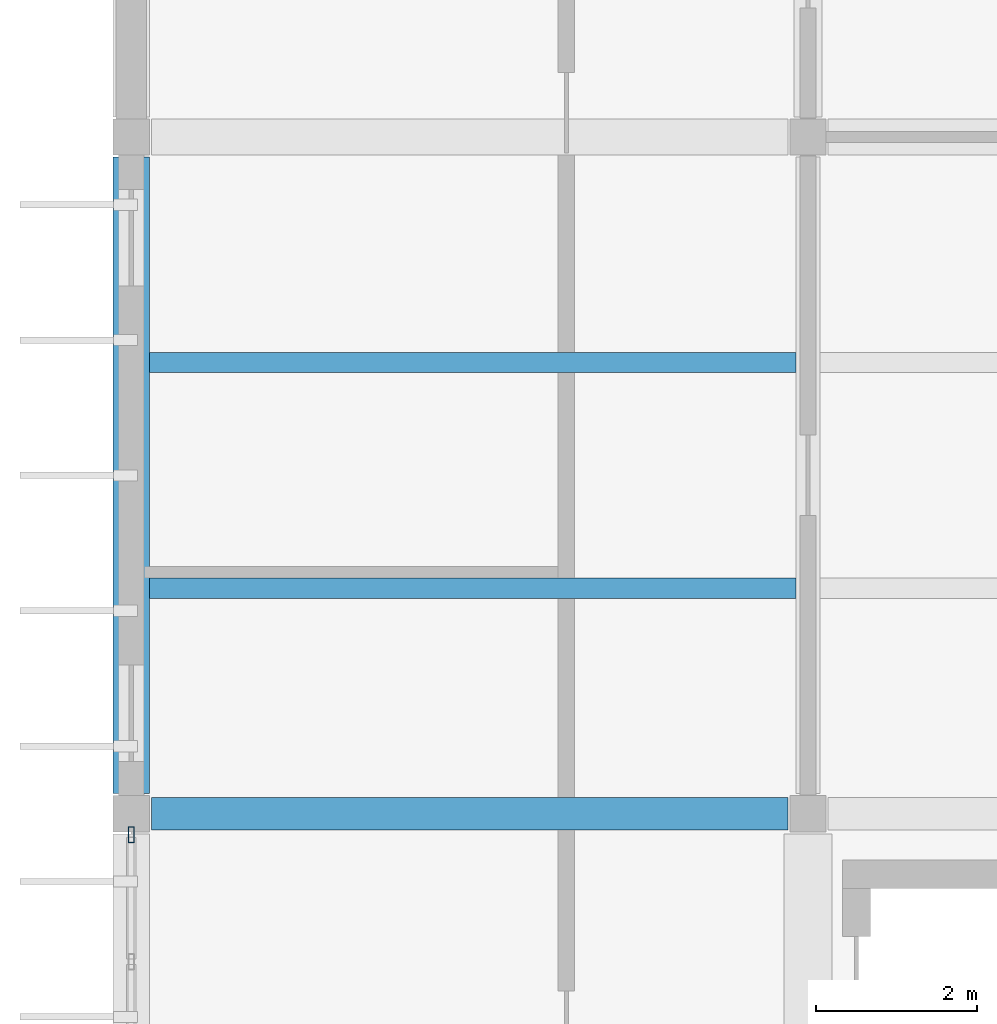
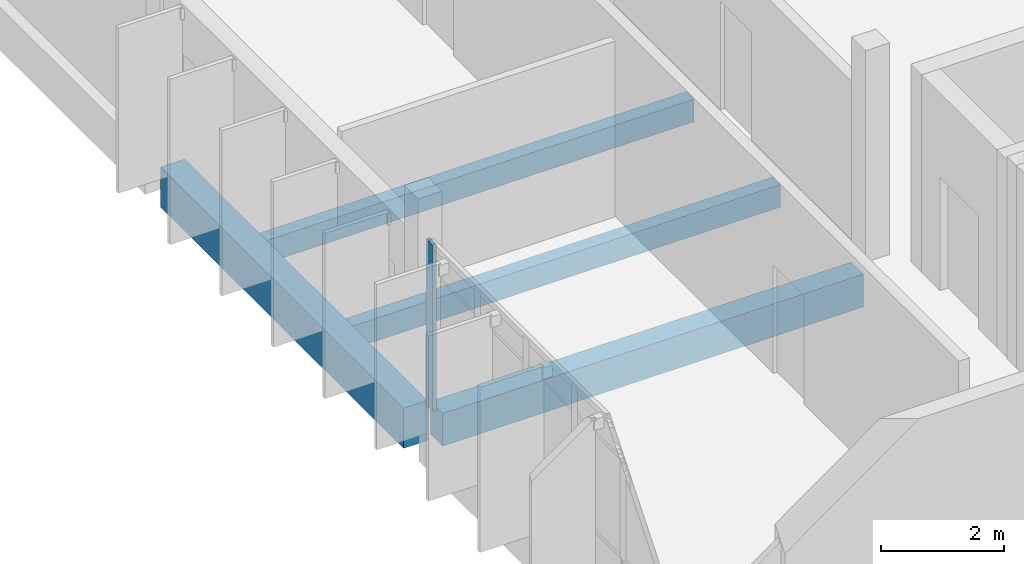
# One storey, part 6 of 62: 4 beams, 1 member, 1 element without a shape of its own.
"""IFC4 building model written with IfcOpenShell, lengths in metres."""

from ifc_helpers import new_model, si_unit, direction, frame, origin, origin_2d, place, context, subcontext, project, spatial, rectangle, hollow_rectangle, extrude, material, layer, layer_set, material_profile, profile_set, type_object, element, aggregate, save


model = new_model("IFC4")

# Units and contexts
model_context = context("Model", 3, precision=1e-05, world=origin(), true_north=direction((0.0, 1.0)))
body_context = subcontext(model_context, "Body", "Model", "MODEL_VIEW")
ifc_project = project(units=[si_unit("LENGTHUNIT", "METRE"), si_unit("AREAUNIT", "SQUARE_METRE"), si_unit("VOLUMEUNIT", "CUBIC_METRE"), si_unit("PLANEANGLEUNIT", "RADIAN"), si_unit("MASSUNIT", "GRAM", prefix="KILO")], contexts=[model_context])

# Site, building, storey
site_placement = place(None, origin())
site = spatial("IfcSite", under=ifc_project, at=site_placement, CompositionType="ELEMENT")
building_placement = place(site_placement, origin())
building = spatial("IfcBuilding", under=site, at=building_placement, Name="Vireocrest Preparatory School", CompositionType="ELEMENT")
storey_placement = place(building_placement, frame((0.0, 0.0, 17.39990234375)))
storey = spatial("IfcBuildingStorey", under=building, at=storey_placement, Name="L04", CompositionType="ELEMENT", Elevation=17.39990234375)

# Curtain wall, member
ifc_material_1 = material(Name="Thermally broken aluminium EN AW-6063-T6", Category="aluminium")
ifc_layer = layer(ifc_material_1, 0.179931640625)
ifc_layer_set = layer_set([ifc_layer], Name="Thermally broken aluminium EN AW-6063-T6")
curtain_wall_type = type_object("IfcCurtainWallType", Name="Teaching Fin Curtain Wall 8400x4200", PredefinedType="USERDEFINED", material=ifc_layer_set)
curtain_wall_placement = place(storey_placement, origin())
curtain_wall = element("IfcCurtainWall", 1, at=curtain_wall_placement, inside=storey, type_object=curtain_wall_type, Name="Curtain Wall CW03 CW_L04_CW03_0420_0440_174", ObjectType="CURTAIN WALL", PredefinedType="USERDEFINED")
ifc_material_profile_1 = material_profile(ifc_material_1, hollow_rectangle(XDim=0.074951171875, YDim=0.199951171875, WallThickness=0.0048828125, at=origin_2d()), Name="ALU 75x200x5")
ifc_profile_set_1 = profile_set([ifc_material_profile_1], Name="Thermally broken aluminium EN AW-6063-T6")
member_type = type_object("IfcMemberType", Name="CW Mullion 75x200x5", PredefinedType="MULLION", material=ifc_profile_set_1)
member_placement = place(storey_placement, frame((42.0, 51.93994140625, 0.0), z_axis=(0.0, 0.0, 1.0), x_axis=(1.0, 0.0, 0.0)))
member = element("IfcMember", 2, at=member_placement, type_object=member_type, Name="CW Mullion ML3 CW_L04_CW03_0420_0440_174-6", PredefinedType="MULLION", context=body_context, shape_type="SweptSolid", body=[
    extrude(hollow_rectangle(XDim=0.074951171875, YDim=0.199951171875, WallThickness=0.0048828125, at=origin_2d()), origin(), (0.0, 0.0, 1.0), 3.30517578125),
])
aggregate(curtain_wall, [member])

# Beams
ifc_material_2 = material(Name="Concrete 40 MPa", Category="concrete")
ifc_material_profile_2 = material_profile(ifc_material_2, rectangle(XDim=0.39990234375, YDim=0.64990234375, at=origin_2d()), Name="RC 400x650")
ifc_profile_set_2 = profile_set([ifc_material_profile_2], Name="Concrete 40 MPa")
beam_type_1 = type_object("IfcBeamType", Name="RC Laboratory Girder 400x650", PredefinedType="BEAM", material=ifc_profile_set_2)
beam_1_placement = place(storey_placement, frame((42.25, 52.199951171875, -0.56494140625), z_axis=(1.0, 0.0, 0.0), x_axis=(0.0, 1.0, 0.0)))
element("IfcBeam", 3, at=beam_1_placement, inside=storey, type_object=beam_type_1, Name="Primary Girder B07 L04-1301", PredefinedType="BEAM", context=body_context, shape_type="SweptSolid", body=[
    extrude(rectangle(XDim=0.39990234375, YDim=0.64990234375, at=origin_2d()), origin(), (0.0, 0.0, 1.0), 7.89990234375),
])
ifc_material_profile_3 = material_profile(ifc_material_2, rectangle(XDim=0.449951171875, YDim=0.800048828125, at=origin_2d()), Name="RC 450x800")
ifc_profile_set_3 = profile_set([ifc_material_profile_3], Name="Concrete 40 MPa")
beam_type_2 = type_object("IfcBeamType", Name="RC Library Stack Girder 450x800", PredefinedType="BEAM", material=ifc_profile_set_3)
beam_2_placement = place(storey_placement, frame((42.0, 52.449951171875, -0.639892578125), z_axis=(0.0, 1.0, 0.0), x_axis=(-1.0, 0.0, 0.0)))
element("IfcBeam", 4, at=beam_2_placement, inside=storey, type_object=beam_type_2, Name="Primary Girder B12 L04-1355", PredefinedType="BEAM", context=body_context, shape_type="SweptSolid", body=[
    extrude(rectangle(XDim=0.449951171875, YDim=0.800048828125, at=origin_2d()), origin(), (0.0, 0.0, 1.0), 7.900146484375),
])
ifc_material_profile_4 = material_profile(ifc_material_2, rectangle(XDim=0.25, YDim=0.449951171875, at=origin_2d()), Name="RC 250x450")
ifc_profile_set_4 = profile_set([ifc_material_profile_4], Name="Concrete 40 MPa")
beam_type_3 = type_object("IfcBeamType", Name="RC Secondary Floor Joist 250x450", PredefinedType="JOIST", material=ifc_profile_set_4)
for number, where, z_axis, x_axis, name in (
    (5, (42.22509765625, 55.0, -0.46484375), (1.0, 0.0, 0.0), (0.0, 1.0, 0.0), "Secondary Joist J01 L04-1425"),
    (6, (42.22509765625, 57.800048828125, -0.46484375), (1.0, 0.0, 0.0), (0.0, 1.0, 0.0), "Secondary Joist J01 L04-1426"),
):
    element("IfcBeam", number, at=place(storey_placement, frame(where, z_axis=z_axis, x_axis=x_axis)), inside=storey, type_object=beam_type_3, Name=name, PredefinedType="JOIST", context=body_context, shape_type="SweptSolid", body=[
        extrude(rectangle(XDim=0.25, YDim=0.449951171875, at=origin_2d()), origin(), (0.0, 0.0, 1.0), 8.02490234375),
    ])

save(model, "model.ifc")
